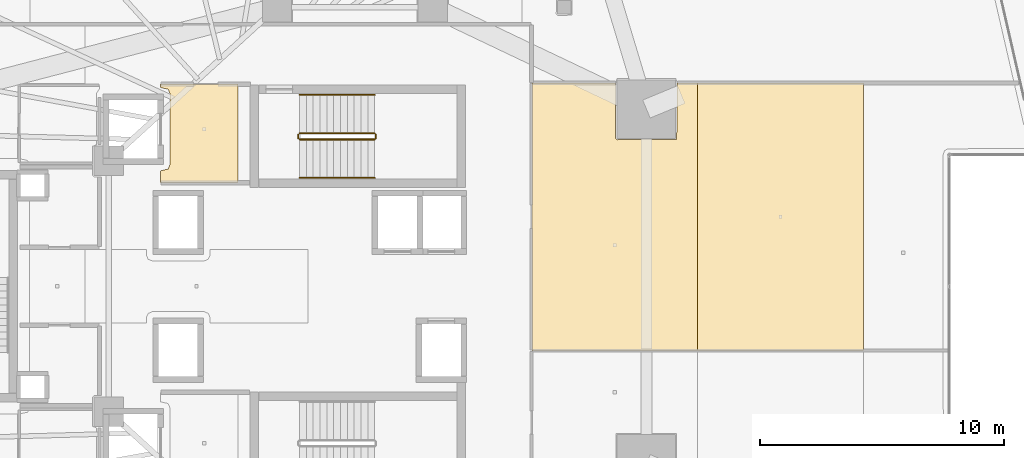
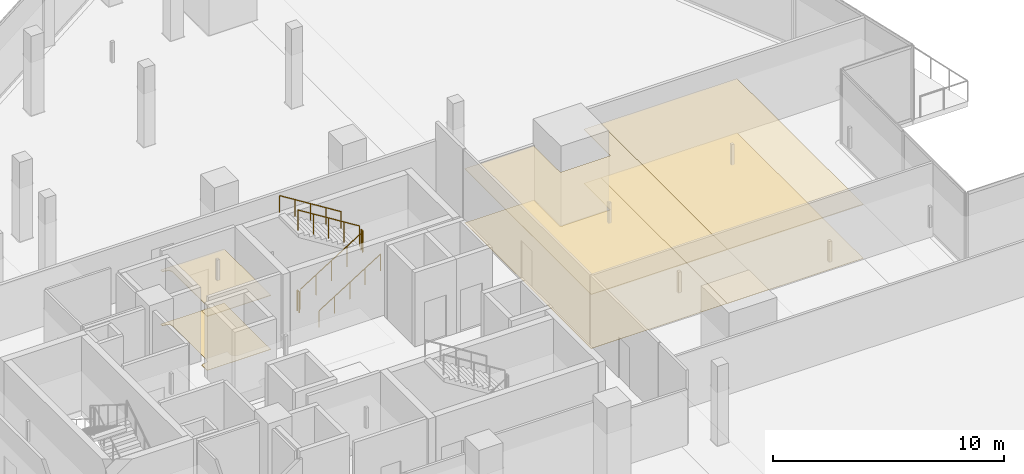
# One storey, part 41 of 42: 6 coverings, 6 railings.
"""IFC4 building model written with IfcOpenShell, lengths in metres."""

from ifc_helpers import new_model, si_unit, direction, frame, origin, origin_2d, place, context, subcontext, project, spatial, polyline, circle, outline, extrude, material, layer, layer_set, type_object, element, save


model = new_model("IFC4")

# Units and contexts
model_context = context("Model", 3, precision=1e-05, world=origin(), true_north=direction((0.0, 1.0)))
body_context = subcontext(model_context, "Body", "Model", "MODEL_VIEW")
ifc_project = project(units=[si_unit("LENGTHUNIT", "METRE"), si_unit("AREAUNIT", "SQUARE_METRE"), si_unit("VOLUMEUNIT", "CUBIC_METRE"), si_unit("PLANEANGLEUNIT", "RADIAN"), si_unit("MASSUNIT", "GRAM", prefix="KILO")], contexts=[model_context])

# Site, building, storey
site_placement = place(None, origin())
site = spatial("IfcSite", under=ifc_project, at=site_placement, CompositionType="ELEMENT")
building_placement = place(site_placement, origin())
building = spatial("IfcBuilding", under=site, at=building_placement, Name="Qorvath Tower", CompositionType="ELEMENT")
storey_placement = place(building_placement, frame((0.0, 0.0, 32.39990234375)))
storey = spatial("IfcBuildingStorey", under=building, at=storey_placement, Name="L06", CompositionType="ELEMENT", Elevation=32.39990234375)

# Coverings
ifc_material_1 = material(Name="Acoustic mineral fibre ceiling tile", Category="gypsum")
ifc_layer_1 = layer(ifc_material_1, 0.030029296875)
ifc_layer_set_1 = layer_set([ifc_layer_1], Name="COV-CEIL")
covering_type_1 = type_object("IfcCoveringType", Name="COV-CEIL", PredefinedType="CEILING", material=ifc_layer_set_1)
covering_1_placement = place(storey_placement, frame((0.0, 0.0, 2.85009765625)))
element("IfcCovering", 1, at=covering_1_placement, inside=storey, type_object=covering_type_1, Name="L06 Suspended Acoustic Ceiling 001", PredefinedType="CEILING", context=body_context, shape_type="SweptSolid", body=[
    extrude(outline(polyline([(-25.18994140625, 4.2548828125), (-25.18994140625, 8.294921875), (-28.375, 8.294921875), (-28.375, 8.159912109375), (-28.063232421875, 8.086669921875), (-27.989990234375, 7.909912109375), (-27.989990234375, 4.989990234375), (-28.063232421875, 4.813232421875), (-28.375, 4.739990234375), (-28.375, 4.2548828125), (-25.18994140625, 4.2548828125)])), origin(), (0.0, 0.0, 1.0), 0.030029296875),
])
covering_2_placement = place(storey_placement, frame((0.0, 0.0, 2.85009765625)))
element("IfcCovering", 2, at=covering_2_placement, inside=storey, type_object=covering_type_1, Name="L06 Suspended Acoustic Ceiling 016", PredefinedType="CEILING", context=body_context, shape_type="SweptSolid", body=[
    extrude(outline(polyline([(-6.329833984375, -2.6298828125), (-6.329833984375, 8.3369140625), (-7.17041015625, 8.3369140625), (-7.18798828125, 6.033935546875), (-9.63037109375, 6.016357421875), (-9.690185546875, 6.076416015625), (-9.690185546875, 8.3369140625), (-13.136962890625, 8.3369140625), (-13.136962890625, -2.6298828125), (-6.329833984375, -2.6298828125)])), origin(), (0.0, 0.0, 1.0), 0.030029296875),
])
covering_3_placement = place(storey_placement, frame((0.0, 0.0, 2.85009765625)))
element("IfcCovering", 3, at=covering_3_placement, inside=storey, type_object=covering_type_1, Name="L06 Suspended Acoustic Ceiling 017", PredefinedType="CEILING", context=body_context, shape_type="SweptSolid", body=[
    extrude(outline(polyline([(0.477294921875, -2.6298828125), (0.477294921875, 8.3369140625), (-6.329833984375, 8.3369140625), (-6.329833984375, -2.6298828125), (0.477294921875, -2.6298828125)])), origin(), (0.0, 0.0, 1.0), 0.030029296875),
])
ifc_material_2 = material(Name="Low-VOC modular carpet tile", Category="textile")
ifc_layer_2 = layer(ifc_material_2, 0.014892578125)
ifc_layer_set_2 = layer_set([ifc_layer_2], Name="COV-FLOOR-CPT")
covering_type_2 = type_object("IfcCoveringType", Name="COV-FLOOR-CPT", PredefinedType="FLOORING", material=ifc_layer_set_2)
covering_4_placement = place(storey_placement, origin())
element("IfcCovering", 4, at=covering_4_placement, inside=storey, type_object=covering_type_2, Name="L06 Floor Finish 016", PredefinedType="FLOORING", context=body_context, shape_type="SweptSolid", body=[
    extrude(outline(polyline([(-6.329833984375, -2.6298828125), (-6.329833984375, 8.3369140625), (-7.17041015625, 8.3369140625), (-7.18798828125, 6.033935546875), (-9.63037109375, 6.016357421875), (-9.690185546875, 6.076416015625), (-9.690185546875, 8.3369140625), (-13.136962890625, 8.3369140625), (-13.136962890625, -2.6298828125), (-6.329833984375, -2.6298828125)])), origin(), (0.0, 0.0, 1.0), 0.01513671875),
])
covering_5_placement = place(storey_placement, origin())
element("IfcCovering", 5, at=covering_5_placement, inside=storey, type_object=covering_type_2, Name="L06 Floor Finish 017", PredefinedType="FLOORING", context=body_context, shape_type="SweptSolid", body=[
    extrude(outline(polyline([(0.477294921875, -2.6298828125), (0.477294921875, 8.3369140625), (-6.329833984375, 8.3369140625), (-6.329833984375, -2.6298828125), (0.477294921875, -2.6298828125)])), origin(), (0.0, 0.0, 1.0), 0.01513671875),
])
ifc_material_3 = material(Name="Polished epoxy terrazzo flooring", Category="concrete")
ifc_layer_3 = layer(ifc_material_3, 0.02001953125)
ifc_layer_set_3 = layer_set([ifc_layer_3], Name="COV-FLOOR-TRZ")
covering_type_3 = type_object("IfcCoveringType", Name="COV-FLOOR-TRZ", PredefinedType="FLOORING", material=ifc_layer_set_3)
covering_6_placement = place(storey_placement, origin())
element("IfcCovering", 6, at=covering_6_placement, inside=storey, type_object=covering_type_3, Name="L06 Floor Finish 001", PredefinedType="FLOORING", context=body_context, shape_type="SweptSolid", body=[
    extrude(outline(polyline([(-25.18994140625, 4.2548828125), (-25.18994140625, 8.294921875), (-28.375, 8.294921875), (-28.375, 8.159912109375), (-28.063232421875, 8.086669921875), (-27.989990234375, 7.909912109375), (-27.989990234375, 4.989990234375), (-28.063232421875, 4.813232421875), (-28.375, 4.739990234375), (-28.375, 4.2548828125), (-25.18994140625, 4.2548828125)])), origin(), (0.0, 0.0, 1.0), 0.01513671875),
])

# Railings
ifc_material_4 = material(Name="Painted galvanised steel", Category="steel")
railing_type_1 = type_object("IfcRailingType", Name="RL-STR-GRD", PredefinedType="GUARDRAIL", material=ifc_material_4)
railing_1_placement = place(storey_placement, frame((-22.669921875, 6.030029296875, 0.175048828125)))
element("IfcRailing", 7, at=railing_1_placement, inside=storey, type_object=railing_type_1, Name="L06 TS1 stair guard 1", PredefinedType="GUARDRAIL", context=body_context, shape_type="SweptSolid", body=[
    extrude(circle(Radius=0.02392578125, at=origin_2d()), frame((0.0, 0.0, 1.076171875), z_axis=(0.847979421464, 0.0, 0.530029150871), x_axis=(0.0, 1.0, 0.0)), (0.0, 0.0, 1.0), 3.632080078125),
    extrude(circle(Radius=0.02099609375, at=origin_2d()), origin(), (0.0, 0.0, 1.0), 1.052001953125),
    extrude(circle(Radius=0.02099609375, at=origin_2d()), frame((0.77001953125, 0.0, 0.481201171875)), (0.0, 0.0, 1.0), 1.052001953125),
    extrude(circle(Radius=0.02099609375, at=origin_2d()), frame((1.5400390625, 0.0, 0.96240234375)), (0.0, 0.0, 1.0), 1.052001953125),
    extrude(circle(Radius=0.02099609375, at=origin_2d()), frame((2.309814453125, 0.0, 1.44384765625)), (0.0, 0.0, 1.0), 1.052001953125),
    extrude(circle(Radius=0.02099609375, at=origin_2d()), frame((3.079833984375, 0.0, 1.925048828125)), (0.0, 0.0, 1.0), 1.052001953125),
])
railing_2_placement = place(storey_placement, frame((-19.5400390625, 6.080078125, 2.10009765625)))
element("IfcRailing", 8, at=railing_2_placement, inside=storey, type_object=railing_type_1, Name="L06 TS1 stair guard 2", PredefinedType="GUARDRAIL", context=body_context, shape_type="SweptSolid", body=[
    extrude(circle(Radius=0.02392578125, at=origin_2d()), frame((0.0, 0.0, 1.076171875), z_axis=(0.0, 1.0, 0.0), x_axis=(-1.0, 0.0, 0.0)), (0.0, 0.0, 1.0), 0.14990234375),
    extrude(circle(Radius=0.02099609375, at=origin_2d()), origin(), (0.0, 0.0, 1.0), 1.052001953125),
    extrude(circle(Radius=0.02099609375, at=origin_2d()), frame((0.0, 0.14990234375, 0.0)), (0.0, 0.0, 1.0), 1.052001953125),
])
railing_3_placement = place(storey_placement, frame((-19.590087890625, 6.280029296875, 2.275146484375)))
element("IfcRailing", 9, at=railing_3_placement, inside=storey, type_object=railing_type_1, Name="L06 TS1 stair guard 3", PredefinedType="GUARDRAIL", context=body_context, shape_type="SweptSolid", body=[
    extrude(circle(Radius=0.02392578125, at=origin_2d()), frame((0.0, 0.0, 1.076171875), z_axis=(-0.847979421464, 0.0, 0.530029150871), x_axis=(0.0, -1.0, 0.0)), (0.0, 0.0, 1.0), 3.632080078125),
    extrude(circle(Radius=0.02099609375, at=origin_2d()), origin(), (0.0, 0.0, 1.0), 1.052001953125),
    extrude(circle(Radius=0.02099609375, at=origin_2d()), frame((-0.77001953125, 0.0, 0.481201171875)), (0.0, 0.0, 1.0), 1.052001953125),
    extrude(circle(Radius=0.02099609375, at=origin_2d()), frame((-1.5400390625, 0.0, 0.96240234375)), (0.0, 0.0, 1.0), 1.052001953125),
    extrude(circle(Radius=0.02099609375, at=origin_2d()), frame((-2.309814453125, 0.0, 1.44384765625)), (0.0, 0.0, 1.0), 1.052001953125),
    extrude(circle(Radius=0.02099609375, at=origin_2d()), frame((-3.079833984375, 0.0, 1.925048828125)), (0.0, 0.0, 1.0), 1.052001953125),
])
railing_4_placement = place(storey_placement, frame((-22.719970703125, 6.080078125, 0.0)))
element("IfcRailing", 10, at=railing_4_placement, inside=storey, type_object=railing_type_1, Name="L06 TS1 stair guard 4", PredefinedType="GUARDRAIL", context=body_context, shape_type="SweptSolid", body=[
    extrude(circle(Radius=0.02392578125, at=origin_2d()), frame((0.0, 0.0, 1.076171875), z_axis=(0.0, 1.0, 0.0), x_axis=(-1.0, 0.0, 0.0)), (0.0, 0.0, 1.0), 0.14990234375),
    extrude(circle(Radius=0.02099609375, at=origin_2d()), origin(), (0.0, 0.0, 1.0), 1.052001953125),
    extrude(circle(Radius=0.02099609375, at=origin_2d()), frame((0.0, 0.14990234375, 0.0)), (0.0, 0.0, 1.0), 1.052001953125),
])
ifc_material_5 = material(Name="Brushed stainless steel AISI 304", Category="steel")
railing_type_2 = type_object("IfcRailingType", Name="RL-STR-HND", PredefinedType="HANDRAIL", material=ifc_material_5)
railing_5_placement = place(storey_placement, frame((-22.669921875, 4.449951171875, 0.175048828125)))
element("IfcRailing", 11, at=railing_5_placement, inside=storey, type_object=railing_type_2, Name="L06 TS1 stair handrail 1", PredefinedType="HANDRAIL", context=body_context, shape_type="SweptSolid", body=[
    extrude(circle(Radius=0.02392578125, at=origin_2d()), frame((0.0, 0.0, 0.8759765625), z_axis=(0.847979421464, 0.0, 0.530029150871), x_axis=(0.0, 1.0, 0.0)), (0.0, 0.0, 1.0), 3.632080078125),
    extrude(circle(Radius=0.02099609375, at=origin_2d()), origin(), (0.0, 0.0, 1.0), 0.851806640625),
    extrude(circle(Radius=0.02099609375, at=origin_2d()), frame((0.77001953125, 0.0, 0.481201171875)), (0.0, 0.0, 1.0), 0.851806640625),
    extrude(circle(Radius=0.02099609375, at=origin_2d()), frame((1.5400390625, 0.0, 0.96240234375)), (0.0, 0.0, 1.0), 0.851806640625),
    extrude(circle(Radius=0.02099609375, at=origin_2d()), frame((2.309814453125, 0.0, 1.44384765625)), (0.0, 0.0, 1.0), 0.851806640625),
    extrude(circle(Radius=0.02099609375, at=origin_2d()), frame((3.079833984375, 0.0, 1.925048828125)), (0.0, 0.0, 1.0), 0.851806640625),
])
railing_6_placement = place(storey_placement, frame((-19.590087890625, 7.860107421875, 2.275146484375)))
element("IfcRailing", 12, at=railing_6_placement, inside=storey, type_object=railing_type_2, Name="L06 TS1 stair handrail 2", PredefinedType="HANDRAIL", context=body_context, shape_type="SweptSolid", body=[
    extrude(circle(Radius=0.02392578125, at=origin_2d()), frame((0.0, 0.0, 0.8759765625), z_axis=(-0.847979421464, 0.0, 0.530029150871), x_axis=(0.0, -1.0, 0.0)), (0.0, 0.0, 1.0), 3.632080078125),
    extrude(circle(Radius=0.02099609375, at=origin_2d()), origin(), (0.0, 0.0, 1.0), 0.851806640625),
    extrude(circle(Radius=0.02099609375, at=origin_2d()), frame((-0.77001953125, 0.0, 0.481201171875)), (0.0, 0.0, 1.0), 0.851806640625),
    extrude(circle(Radius=0.02099609375, at=origin_2d()), frame((-1.5400390625, 0.0, 0.96240234375)), (0.0, 0.0, 1.0), 0.851806640625),
    extrude(circle(Radius=0.02099609375, at=origin_2d()), frame((-2.309814453125, 0.0, 1.44384765625)), (0.0, 0.0, 1.0), 0.851806640625),
    extrude(circle(Radius=0.02099609375, at=origin_2d()), frame((-3.079833984375, 0.0, 1.925048828125)), (0.0, 0.0, 1.0), 0.851806640625),
])

save(model, "model.ifc")
